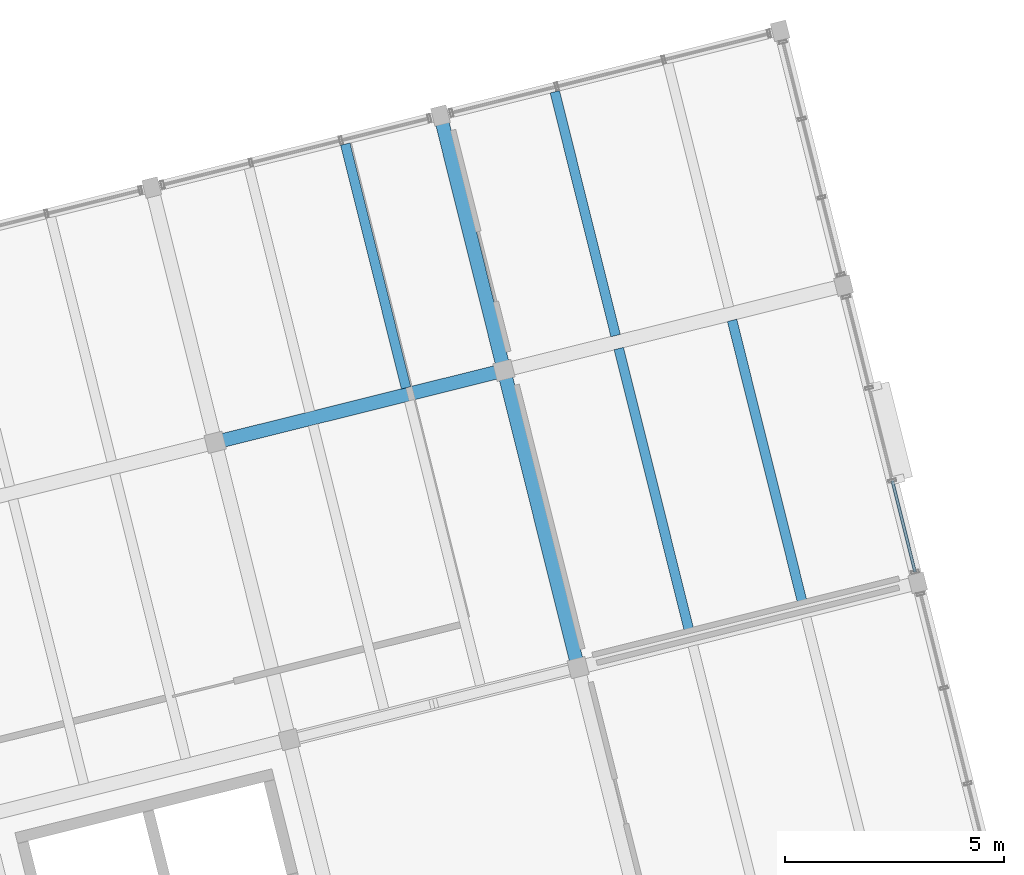
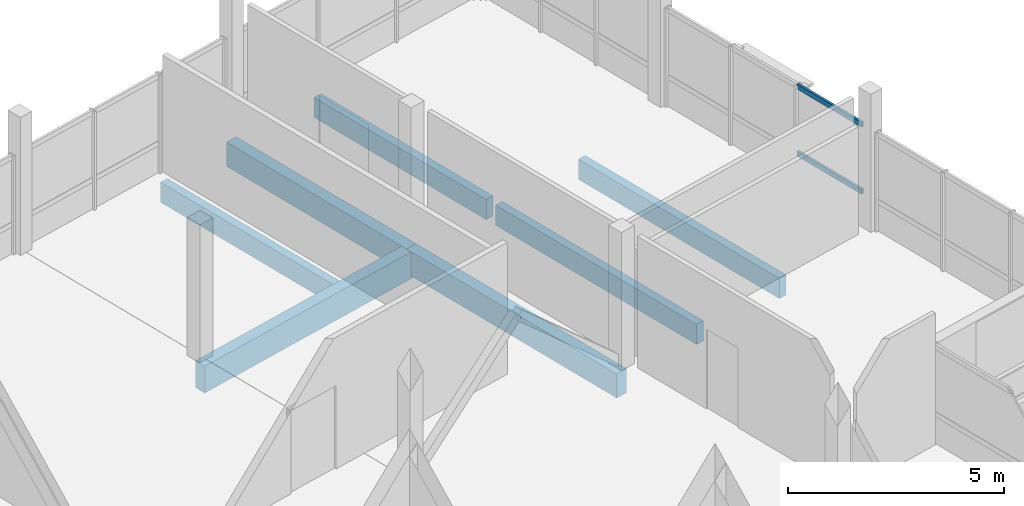
# One storey, part 20 of 28: 7 beams, 2 members, 1 element without a shape of its own.
"""IFC4 building model written with IfcOpenShell, lengths in metres."""

from ifc_helpers import new_model, si_unit, direction, frame, origin, origin_2d, place, context, subcontext, project, spatial, rectangle, hollow_rectangle, extrude, material, layer, layer_set, material_profile, profile_set, type_object, element, aggregate, save


model = new_model("IFC4")

# Units and contexts
model_context = context("Model", 3, precision=1e-05, world=origin(), true_north=direction((0.0, 1.0)))
body_context = subcontext(model_context, "Body", "Model", "MODEL_VIEW")
ifc_project = project(units=[si_unit("LENGTHUNIT", "METRE"), si_unit("AREAUNIT", "SQUARE_METRE"), si_unit("VOLUMEUNIT", "CUBIC_METRE"), si_unit("PLANEANGLEUNIT", "RADIAN"), si_unit("MASSUNIT", "GRAM", prefix="KILO")], contexts=[model_context])

# Site, building, storey
site_placement = place(None, origin())
site = spatial("IfcSite", under=ifc_project, at=site_placement, CompositionType="ELEMENT")
building_placement = place(site_placement, origin())
building = spatial("IfcBuilding", under=site, at=building_placement, Name="Meriwether Solvik Hall", CompositionType="ELEMENT")
storey_placement = place(building_placement, frame((0.0, 0.0, 30.0)))
storey = spatial("IfcBuildingStorey", under=building, at=storey_placement, Name="L07", CompositionType="ELEMENT", Elevation=30.0)

# Beams
ifc_material_1 = material(Name="Glulam Douglas-Fir 24F-V8 GL28h", Category="wood")
ifc_material_profile_1 = material_profile(ifc_material_1, rectangle(XDim=0.31494140625, YDim=0.68505859375, at=origin_2d()), Name="GLB-315X685")
ifc_profile_set_1 = profile_set([ifc_material_profile_1], Name="Glulam Douglas-Fir 24F-V8 GL28h")
beam_type_1 = type_object("IfcBeamType", Name="BM-GL-315X685", PredefinedType="BEAM", material=ifc_profile_set_1)
beam_1_placement = place(storey_placement, frame((98.4501953125, 70.285400390625, -0.5625), z_axis=(-0.241911879182, 0.970298223594, 0.0), x_axis=(-0.970298223594, -0.241911879182, 0.0)))
element("IfcBeam", 1, at=beam_1_placement, inside=storey, type_object=beam_type_1, Name="Tower Girder T6:TD-TE (L07)", PredefinedType="BEAM", context=body_context, shape_type="SweptSolid", body=[
    extrude(rectangle(XDim=0.31494140625, YDim=0.68505859375, at=origin_2d()), origin(), (0.0, 0.0, 1.0), 7.0),
])
beam_2_placement = place(storey_placement, frame((96.7568359375, 77.077392578125, -0.5625), z_axis=(-0.241903677572, 0.970300268359, 0.0), x_axis=(-0.970300268359, -0.241903677572, 0.0)))
element("IfcBeam", 2, at=beam_2_placement, inside=storey, type_object=beam_type_1, Name="Tower Girder T6:TE-TF (L07)", PredefinedType="BEAM", context=body_context, shape_type="SweptSolid", body=[
    extrude(rectangle(XDim=0.31494140625, YDim=0.68505859375, at=origin_2d()), origin(), (0.0, 0.0, 1.0), 6.0),
])
ifc_material_2 = material(Name="Glulam Douglas-Fir 24F-V8 GL28h", Category="wood")
ifc_material_profile_2 = material_profile(ifc_material_2, rectangle(XDim=0.31494140625, YDim=0.760009765625, at=origin_2d()), Name="GLB-315X760")
ifc_profile_set_2 = profile_set([ifc_material_profile_2], Name="Glulam Douglas-Fir 24F-V8 GL28h")
beam_type_2 = type_object("IfcBeamType", Name="BM-GL-315X760", PredefinedType="BEAM", material=ifc_profile_set_2)
beam_3_placement = place(storey_placement, frame((90.158935546875, 75.432373046875, -0.60009765625), z_axis=(0.970296478685, 0.241918877831, 0.0), x_axis=(-0.241918877831, 0.970296478685, 0.0)))
element("IfcBeam", 3, at=beam_3_placement, inside=storey, type_object=beam_type_2, Name="Tower Girder TE:T5-T6 (L07)", PredefinedType="BEAM", context=body_context, shape_type="SweptSolid", body=[
    extrude(rectangle(XDim=0.31494140625, YDim=0.760009765625, at=origin_2d()), origin(), (0.0, 0.0, 1.0), 6.7998046875),
])

# Curtain wall, members
ifc_material_3 = material(Name="Thermally Broken Anodised Aluminium 6063-T6 and Low-E Glass", Category="aluminium")
ifc_layer = layer(ifc_material_3, 0.179931640625)
ifc_layer_set = layer_set([ifc_layer], Name="Thermally Broken Anodised Aluminium 6063-T6 and Low-E Glass")
curtain_wall_type = type_object("IfcCurtainWallType", Name="CW-UNIT-B", PredefinedType="USERDEFINED", material=ifc_layer_set)
curtain_wall_placement = place(storey_placement, origin())
curtain_wall = element("IfcCurtainWall", 4, at=curtain_wall_placement, inside=storey, type_object=curtain_wall_type, Name="Curtain Wall E3_B1 (L07)", ObjectType="UNITISED CURTAIN WALL", PredefinedType="USERDEFINED")
ifc_material_4 = material(Name="Anodised Aluminium 6063-T6", Category="aluminium")
ifc_material_profile_3 = material_profile(ifc_material_4, hollow_rectangle(XDim=0.06494140625, YDim=0.139892578125, WallThickness=0.00439453125, at=origin_2d()), Name="CWT-65X140")
ifc_profile_set_3 = profile_set([ifc_material_profile_3], Name="Anodised Aluminium 6063-T6")
member_type = type_object("IfcMemberType", Name="CW-TRN-65X140", PredefinedType="USERDEFINED", material=ifc_profile_set_3)
member_1_placement = place(storey_placement, frame((105.63037109375, 74.556640625, 0.8369140625), z_axis=(0.241839985979, -0.970316144966, 0.0), x_axis=(0.970316144966, 0.241839985979, 0.0)))
member_1 = element("IfcMember", 5, at=member_1_placement, type_object=member_type, Name="Curtain Wall Transom 3-sill", ObjectType="TRANSOM", PredefinedType="USERDEFINED", context=body_context, shape_type="SweptSolid", body=[
    extrude(hollow_rectangle(XDim=0.06494140625, YDim=0.139892578125, WallThickness=0.00439453125, at=origin_2d()), origin(), (0.0, 0.0, 1.0), 2.147216796875),
])
member_2_placement = place(storey_placement, frame((105.63037109375, 74.556640625, 2.72998046875), z_axis=(0.241839985979, -0.970316144966, 0.0), x_axis=(0.970316144966, 0.241839985979, 0.0)))
member_2 = element("IfcMember", 6, at=member_2_placement, type_object=member_type, Name="Curtain Wall Transom 3-head", ObjectType="TRANSOM", PredefinedType="USERDEFINED", context=body_context, shape_type="SweptSolid", body=[
    extrude(hollow_rectangle(XDim=0.06494140625, YDim=0.139892578125, WallThickness=0.00439453125, at=origin_2d()), origin(), (0.0, 0.0, 1.0), 2.147216796875),
])
aggregate(curtain_wall, [member_1, member_2])

# Beams
ifc_material_5 = material(Name="Glulam Douglas-Fir 24F-V8 GL28h", Category="wood")
ifc_material_profile_4 = material_profile(ifc_material_5, rectangle(XDim=0.221923828125, YDim=0.570068359375, at=origin_2d()), Name="GLJ-222X570")
ifc_profile_set_4 = profile_set([ifc_material_profile_4], Name="Glulam Douglas-Fir 24F-V8 GL28h")
beam_type_3 = type_object("IfcBeamType", Name="JST-GL-222X570", PredefinedType="JOIST", material=ifc_profile_set_4)
beam_4_placement = place(storey_placement, frame((94.5205078125, 76.677001953125, -0.5048828125), z_axis=(-0.241905253991, 0.970299875343, 0.0), x_axis=(-0.970299875343, -0.241905253991, 0.0)))
element("IfcBeam", 7, at=beam_4_placement, inside=storey, type_object=beam_type_3, Name="Glulam Floor Joist T5/TE-J2 (L07)", PredefinedType="JOIST", context=body_context, shape_type="SweptSolid", body=[
    extrude(rectangle(XDim=0.221923828125, YDim=0.570068359375, at=origin_2d()), origin(), (0.0, 0.0, 1.0), 5.741455078125),
])
for number, where, z_axis, x_axis, name in (
    (8, (101.0009765625, 71.07861328125, -0.5048828125), (-0.241952124656, 0.970288188825, 0.0), (-0.970288188825, -0.241952124656, 0.0), "Glulam Floor Joist T6/TD-J1 (L07)"),
    (9, (103.58837890625, 71.7236328125, -0.5048828125), (-0.241952124656, 0.970288188825, 0.0), (-0.970288188825, -0.241952124656, 0.0), "Glulam Floor Joist T6/TD-J2 (L07)"),
):
    element("IfcBeam", number, at=place(storey_placement, frame(where, z_axis=z_axis, x_axis=x_axis)), inside=storey, type_object=beam_type_3, Name=name, PredefinedType="JOIST", context=body_context, shape_type="SweptSolid", body=[
        extrude(rectangle(XDim=0.221923828125, YDim=0.570068359375, at=origin_2d()), origin(), (0.0, 0.0, 1.0), 6.695068359375),
    ])
beam_5_placement = place(storey_placement, frame((99.307373046875, 77.87060546875, -0.5048828125), z_axis=(-0.241915235082, 0.970297386905, 0.0), x_axis=(-0.970297386905, -0.241915235082, 0.0)))
element("IfcBeam", 10, at=beam_5_placement, inside=storey, type_object=beam_type_3, Name="Glulam Floor Joist T6/TE-J1 (L07)", PredefinedType="JOIST", context=body_context, shape_type="SweptSolid", body=[
    extrude(rectangle(XDim=0.221923828125, YDim=0.570068359375, at=origin_2d()), origin(), (0.0, 0.0, 1.0), 5.741455078125),
])

save(model, "model.ifc")
